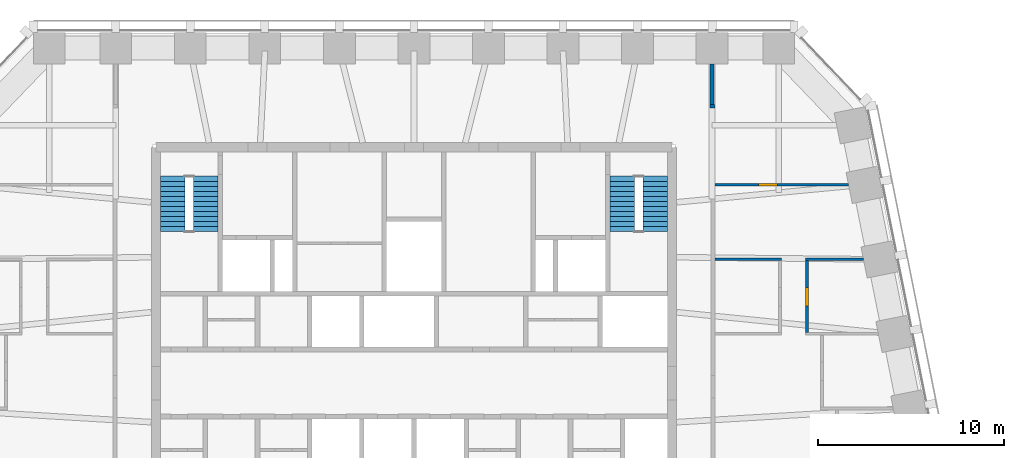
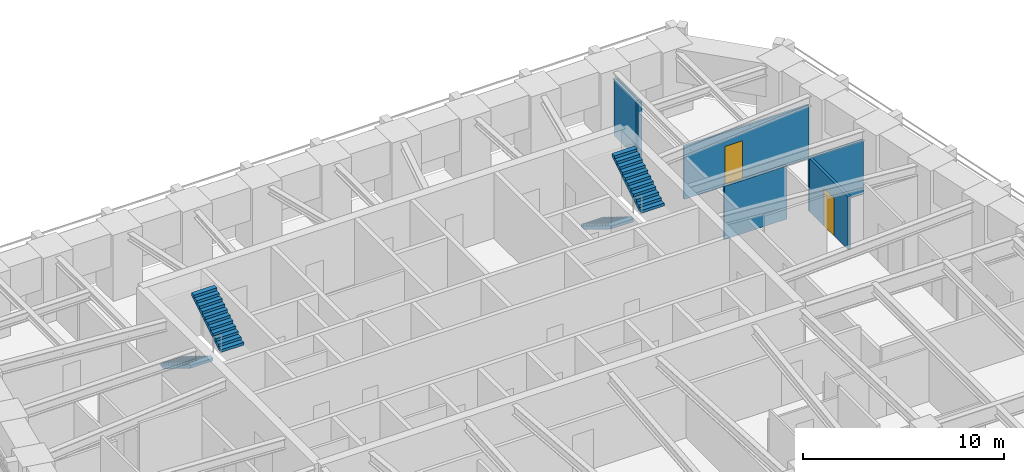
# One storey, part 9 of 11: 6 walls, 4 stair flights, 2 doors, 2 openings, 2 elements without a shape of their own.
"""IFC4 building model written with IfcOpenShell, lengths in metres."""

from ifc_helpers import new_model, si_unit, direction, frame, frame_2d, origin, place, context, subcontext, project, spatial, polyline, rectangle, outline, extrude, material, layer, layer_set, type_object, element, fill, aggregate, save


model = new_model("IFC4")

# Units and contexts
model_context = context("Model", 3, precision=1e-05, world=origin(), true_north=direction((0.0, 1.0)))
body_context = subcontext(model_context, "Body", "Model", "MODEL_VIEW")
ifc_project = project(units=[si_unit("LENGTHUNIT", "METRE"), si_unit("AREAUNIT", "SQUARE_METRE"), si_unit("VOLUMEUNIT", "CUBIC_METRE"), si_unit("PLANEANGLEUNIT", "RADIAN"), si_unit("MASSUNIT", "GRAM", prefix="KILO")], contexts=[model_context])

# Site, building, storey
site_placement = place(None, origin())
site = spatial("IfcSite", under=ifc_project, at=site_placement, CompositionType="ELEMENT")
building_placement = place(site_placement, origin())
building = spatial("IfcBuilding", under=site, at=building_placement, Name="Isbrekke Arena Tower", CompositionType="ELEMENT")
storey_placement = place(building_placement, frame((0.0, 0.0, 252.0)))
storey = spatial("IfcBuildingStorey", under=building, at=storey_placement, Name="L58", CompositionType="ELEMENT", Elevation=252.0)

# Walls
ifc_material_1 = material(Name="Gypsum board partition on steel studs", Category="steel")
ifc_layer_1 = layer(ifc_material_1, 0.14990234375)
ifc_layer_set_1 = layer_set([ifc_layer_1], Name="IW1 PARTITION 150")
wall_type_1 = type_object("IfcWallType", Name="IW1 PARTITION 150", PredefinedType="PARTITIONING", material=ifc_layer_set_1)
wall_1_placement = place(storey_placement, frame((16.14990234375, 17.840087890625, 0.0), z_axis=(0.0, 0.0, 1.0), x_axis=(1.0, 0.0, 0.0)))
element("IfcWall", 1, at=wall_1_placement, inside=storey, type_object=wall_type_1, Name="IW1 partition 150 L58", PredefinedType="PARTITIONING", context=body_context, shape_type="SweptSolid", body=[
    extrude(rectangle(XDim=3.5751953125, YDim=0.14990234375, at=frame_2d((1.78759765625, 0.0))), origin(), (0.0, 0.0, 1.0), 3.22998046875),
])
wall_2_placement = place(storey_placement, frame((21.02490234375, 17.840087890625, 0.0), z_axis=(0.0, 0.0, 1.0), x_axis=(1.0, 0.0, 0.0)))
element("IfcWall", 2, at=wall_2_placement, inside=storey, type_object=wall_type_1, Name="IW1 partition 150 L58", PredefinedType="PARTITIONING", context=body_context, shape_type="SweptSolid", body=[
    extrude(rectangle(XDim=3.098876953125, YDim=0.14990234375, at=frame_2d((1.54931640625, 0.0))), origin(), (0.0, 0.0, 1.0), 3.22998046875),
])

# Wall, opening, door
wall_3_placement = place(storey_placement, frame((21.10009765625, 13.9150390625, 0.0), z_axis=(0.0, 0.0, 1.0), x_axis=(0.0, 1.0, 0.0)))
wall_3 = element("IfcWall", 3, at=wall_3_placement, inside=storey, type_object=wall_type_1, Name="IW1 partition 150 L58", PredefinedType="PARTITIONING", context=body_context, shape_type="SweptSolid", body=[
    extrude(rectangle(XDim=3.849853515625, YDim=0.14990234375, at=frame_2d((1.9248046875, 0.0))), origin(), (0.0, 0.0, 1.0), 3.22998046875),
])
opening_1_placement = place(wall_3_placement, frame((1.425048828125, 0.0, 0.0)))
opening_1 = element("IfcOpeningElement", 4, at=opening_1_placement, cuts=wall_3, Name="Opening D10", PredefinedType="OPENING", context=body_context, shape_type="SweptSolid", body=[
    extrude(rectangle(XDim=1.0, YDim=2.300048828125, at=frame_2d((0.5, 1.14990234375))), frame((0.0, 0.08984375, 0.0), z_axis=(0.0, -1.0, 0.0), x_axis=(1.0, 0.0, 0.0)), (0.0, 0.0, 1.0), 0.1796875),
])
ifc_material_2 = material(Name="Timber door", Category="wood")
door_type_1 = type_object("IfcDoorType", Name="D10 OFFICE DOOR 1000 x 2300", OperationType="SINGLE_SWING_LEFT", PredefinedType="DOOR", material=ifc_material_2)
door_1_placement = place(opening_1_placement, origin())
door_1 = element("IfcDoor", 5, at=door_1_placement, inside=storey, type_object=door_type_1, Name="D10 office door L58", OperationType="SINGLE_SWING_LEFT", OverallHeight=2.300048828125, OverallWidth=1.0, PredefinedType="DOOR", context=body_context, shape_type="SweptSolid", body=[
    extrude(rectangle(XDim=1.0, YDim=2.300048828125, at=frame_2d((0.5, 1.14990234375))), frame((0.0, 0.07470703125, 0.0), z_axis=(0.0, -1.0, 0.0), x_axis=(1.0, 0.0, 0.0)), (0.0, 0.0, 1.0), 0.1494140625),
])
fill(opening_1, door_1)

ifc_material_3 = material(Name="Frameless glazed partition, laminated acoustic glass", Category="glass")
ifc_layer_2 = layer(ifc_material_3, 0.1201171875)
ifc_layer_set_2 = layer_set([ifc_layer_2], Name="IW2 GLAZED PARTITION 120")
wall_type_2 = type_object("IfcWallType", Name="IW2 GLAZED PARTITION 120", PredefinedType="PARTITIONING", material=ifc_layer_set_2)
wall_4_placement = place(storey_placement, frame((16.14990234375, 21.840087890625, 0.0), z_axis=(0.0, 0.0, 1.0), x_axis=(1.0, 0.0, 0.0)))
wall_4 = element("IfcWall", 6, at=wall_4_placement, inside=storey, type_object=wall_type_2, Name="IW2 glazed partition 120 L58", PredefinedType="PARTITIONING", context=body_context, shape_type="SweptSolid", body=[
    extrude(rectangle(XDim=7.173828125, YDim=0.1201171875, at=frame_2d((3.5869140625, 0.0))), origin(), (0.0, 0.0, 1.0), 3.22998046875),
])
opening_2_placement = place(wall_4_placement, frame((2.35009765625, 0.0, 0.0)))
opening_2 = element("IfcOpeningElement", 7, at=opening_2_placement, cuts=wall_4, Name="Opening D11", PredefinedType="OPENING", context=body_context, shape_type="SweptSolid", body=[
    extrude(rectangle(XDim=1.0, YDim=2.39990234375, at=frame_2d((0.5, 1.199951171875))), frame((0.0, 0.074951171875, 0.0), z_axis=(0.0, -1.0, 0.0), x_axis=(1.0, 0.0, 0.0)), (0.0, 0.0, 1.0), 0.14990234375),
])
ifc_material_4 = material(Name="Frameless glazed door", Category="glass")
door_type_2 = type_object("IfcDoorType", Name="D11 GLAZED MEETING ROOM DOOR 1000 x 2400", OperationType="SINGLE_SWING_RIGHT", PredefinedType="DOOR", material=ifc_material_4)
door_2_placement = place(opening_2_placement, origin())
door_2 = element("IfcDoor", 8, at=door_2_placement, inside=storey, type_object=door_type_2, Name="D11 meeting room door L58", OperationType="SINGLE_SWING_RIGHT", OverallHeight=2.39990234375, OverallWidth=1.0, PredefinedType="DOOR", context=body_context, shape_type="SweptSolid", body=[
    extrude(rectangle(XDim=1.0, YDim=2.39990234375, at=frame_2d((0.5, 1.199951171875))), frame((0.0, 0.059814453125, 0.0), z_axis=(0.0, -1.0, 0.0), x_axis=(1.0, 0.0, 0.0)), (0.0, 0.0, 1.0), 0.11962890625),
])
fill(opening_2, door_2)

# Walls
ifc_material_5 = material(Name="Gypsum board fire-cell wall on steel studs, two layers each side", Category="steel")
ifc_layer_3 = layer(ifc_material_5, 0.199951171875)
ifc_layer_set_3 = layer_set([ifc_layer_3], Name="IW3 FIRE-CELL WALL 200")
wall_type_3 = type_object("IfcWallType", Name="IW3 FIRE-CELL WALL 200", PredefinedType="PARTITIONING", material=ifc_layer_set_3)
wall_5_placement = place(storey_placement, frame((15.89990234375, 26.050048828125, 0.0), z_axis=(0.0, 0.0, 1.0), x_axis=(1.0, 0.0, 0.0)))
element("IfcWall", 9, at=wall_5_placement, inside=storey, type_object=wall_type_3, Name="IW3 fire-cell wall 200 L58", PredefinedType="PARTITIONING", context=body_context, shape_type="SweptSolid", body=[
    extrude(rectangle(XDim=0.25, YDim=0.199951171875, at=frame_2d((0.125, 0.0))), origin(), (0.0, 0.0, 1.0), 3.41796875),
])
wall_6_placement = place(storey_placement, frame((16.0, 26.14990234375, 0.0), z_axis=(0.0, 0.0, 1.0), x_axis=(0.0, 1.0, 0.0)))
element("IfcWall", 10, at=wall_6_placement, inside=storey, type_object=wall_type_3, Name="IW3 fire-cell wall 200 L58", PredefinedType="PARTITIONING", context=body_context, shape_type="SweptSolid", body=[
    extrude(rectangle(XDim=2.175048828125, YDim=0.199951171875, at=frame_2d((1.08740234375, 0.0))), origin(), (0.0, 0.0, 1.0), 3.41796875),
])

# Stair, stair flights
ifc_material_6 = material(Name="Concrete B45 (C45/55) precast", Category="concrete")
stair_type = type_object("IfcStairType", Name="ST40 STAIR 1300 WIDE, 24 RISERS 167", PredefinedType="HALF_TURN_STAIR", material=ifc_material_6)
stair_1_placement = place(storey_placement, origin())
stair_1 = element("IfcStair", 11, at=stair_1_placement, inside=storey, type_object=stair_type, Name="ST1 stair L58", PredefinedType="HALF_TURN_STAIR")
ifc_material_7 = material(Name="Concrete B45 (C45/55) precast", Category="concrete")
stair_flight_type = type_object("IfcStairFlightType", Name="SF 1300 FLIGHT", PredefinedType="STRAIGHT", material=ifc_material_7)
stair_flight_1_placement = place(storey_placement, frame((-12.949951171875, 22.300048828125, 0.0), z_axis=(0.0, 0.0, 1.0), x_axis=(0.0, -1.0, 0.0)))
stair_flight_1 = element("IfcStairFlight", 12, at=stair_flight_1_placement, type_object=stair_flight_type, Name="ST1 flight 1", NumberOfRisers=12, NumberOfTreads=11, PredefinedType="STRAIGHT", RiserHeight=0.166666667, TreadLength=0.27, context=body_context, shape_type="SweptSolid", body=[
    extrude(outline(polyline([(0.0, 0.0), (0.0, 0.166748046875), (0.27001953125, 0.166748046875), (0.27001953125, 0.333251953125), (0.5400390625, 0.333251953125), (0.5400390625, 0.5), (0.81005859375, 0.5), (0.81005859375, 0.666748046875), (1.080078125, 0.666748046875), (1.080078125, 0.833251953125), (1.35009765625, 0.833251953125), (1.35009765625, 1.0), (1.6201171875, 1.0), (1.6201171875, 1.166748046875), (1.889892578125, 1.166748046875), (1.889892578125, 1.333251953125), (2.159912109375, 1.333251953125), (2.159912109375, 1.5), (2.429931640625, 1.5), (2.429931640625, 1.666748046875), (2.699951171875, 1.666748046875), (2.699951171875, 1.833251953125), (2.969970703125, 1.833251953125), (2.969970703125, 2.0), (2.969970703125, 1.6572265625), (0.285400390625, 0.0), (0.0, 0.0)])), frame((0.0, 0.64990234375, 0.0), z_axis=(0.0, -1.0, 0.0), x_axis=(1.0, 0.0, 0.0)), (0.0, 0.0, 1.0), 1.300048828125),
])
stair_flight_2_placement = place(storey_placement, frame((-11.175048828125, 19.330078125, 2.0), z_axis=(0.0, 0.0, 1.0), x_axis=(0.0, 1.0, 0.0)))
stair_flight_2 = element("IfcStairFlight", 13, at=stair_flight_2_placement, type_object=stair_flight_type, Name="ST1 flight 2", NumberOfRisers=12, NumberOfTreads=11, PredefinedType="STRAIGHT", RiserHeight=0.166666667, TreadLength=0.27, context=body_context, shape_type="SweptSolid", body=[
    extrude(outline(polyline([(0.0, 0.0), (0.0, 0.166748046875), (0.27001953125, 0.166748046875), (0.27001953125, 0.333251953125), (0.5400390625, 0.333251953125), (0.5400390625, 0.5), (0.81005859375, 0.5), (0.81005859375, 0.666748046875), (1.080078125, 0.666748046875), (1.080078125, 0.833251953125), (1.35009765625, 0.833251953125), (1.35009765625, 1.0), (1.6201171875, 1.0), (1.6201171875, 1.166748046875), (1.889892578125, 1.166748046875), (1.889892578125, 1.333251953125), (2.159912109375, 1.333251953125), (2.159912109375, 1.5), (2.429931640625, 1.5), (2.429931640625, 1.666748046875), (2.699951171875, 1.666748046875), (2.699951171875, 1.833251953125), (2.969970703125, 1.833251953125), (2.969970703125, 2.0), (2.969970703125, 1.6572265625), (0.285400390625, 0.0), (0.0, 0.0)])), frame((0.0, 0.64990234375, 0.0), z_axis=(0.0, -1.0, 0.0), x_axis=(1.0, 0.0, 0.0)), (0.0, 0.0, 1.0), 1.300048828125),
])
aggregate(stair_1, [stair_flight_1, stair_flight_2])

stair_2_placement = place(storey_placement, origin())
stair_2 = element("IfcStair", 14, at=stair_2_placement, inside=storey, type_object=stair_type, Name="ST2 stair L58", PredefinedType="HALF_TURN_STAIR")
stair_flight_3_placement = place(storey_placement, frame((11.175048828125, 22.300048828125, 0.0), z_axis=(0.0, 0.0, 1.0), x_axis=(0.0, -1.0, 0.0)))
stair_flight_3 = element("IfcStairFlight", 15, at=stair_flight_3_placement, type_object=stair_flight_type, Name="ST2 flight 1", NumberOfRisers=12, NumberOfTreads=11, PredefinedType="STRAIGHT", RiserHeight=0.166666667, TreadLength=0.27, context=body_context, shape_type="SweptSolid", body=[
    extrude(outline(polyline([(0.0, 0.0), (0.0, 0.166748046875), (0.27001953125, 0.166748046875), (0.27001953125, 0.333251953125), (0.5400390625, 0.333251953125), (0.5400390625, 0.5), (0.81005859375, 0.5), (0.81005859375, 0.666748046875), (1.080078125, 0.666748046875), (1.080078125, 0.833251953125), (1.35009765625, 0.833251953125), (1.35009765625, 1.0), (1.6201171875, 1.0), (1.6201171875, 1.166748046875), (1.889892578125, 1.166748046875), (1.889892578125, 1.333251953125), (2.159912109375, 1.333251953125), (2.159912109375, 1.5), (2.429931640625, 1.5), (2.429931640625, 1.666748046875), (2.699951171875, 1.666748046875), (2.699951171875, 1.833251953125), (2.969970703125, 1.833251953125), (2.969970703125, 2.0), (2.969970703125, 1.6572265625), (0.285400390625, 0.0), (0.0, 0.0)])), frame((0.0, 0.64990234375, 0.0), z_axis=(0.0, -1.0, 0.0), x_axis=(1.0, 0.0, 0.0)), (0.0, 0.0, 1.0), 1.300048828125),
])
stair_flight_4_placement = place(storey_placement, frame((12.949951171875, 19.330078125, 2.0), z_axis=(0.0, 0.0, 1.0), x_axis=(0.0, 1.0, 0.0)))
stair_flight_4 = element("IfcStairFlight", 16, at=stair_flight_4_placement, type_object=stair_flight_type, Name="ST2 flight 2", NumberOfRisers=12, NumberOfTreads=11, PredefinedType="STRAIGHT", RiserHeight=0.166666667, TreadLength=0.27, context=body_context, shape_type="SweptSolid", body=[
    extrude(outline(polyline([(0.0, 0.0), (0.0, 0.166748046875), (0.27001953125, 0.166748046875), (0.27001953125, 0.333251953125), (0.5400390625, 0.333251953125), (0.5400390625, 0.5), (0.81005859375, 0.5), (0.81005859375, 0.666748046875), (1.080078125, 0.666748046875), (1.080078125, 0.833251953125), (1.35009765625, 0.833251953125), (1.35009765625, 1.0), (1.6201171875, 1.0), (1.6201171875, 1.166748046875), (1.889892578125, 1.166748046875), (1.889892578125, 1.333251953125), (2.159912109375, 1.333251953125), (2.159912109375, 1.5), (2.429931640625, 1.5), (2.429931640625, 1.666748046875), (2.699951171875, 1.666748046875), (2.699951171875, 1.833251953125), (2.969970703125, 1.833251953125), (2.969970703125, 2.0), (2.969970703125, 1.6572265625), (0.285400390625, 0.0), (0.0, 0.0)])), frame((0.0, 0.64990234375, 0.0), z_axis=(0.0, -1.0, 0.0), x_axis=(1.0, 0.0, 0.0)), (0.0, 0.0, 1.0), 1.300048828125),
])
aggregate(stair_2, [stair_flight_3, stair_flight_4])

save(model, "model.ifc")
